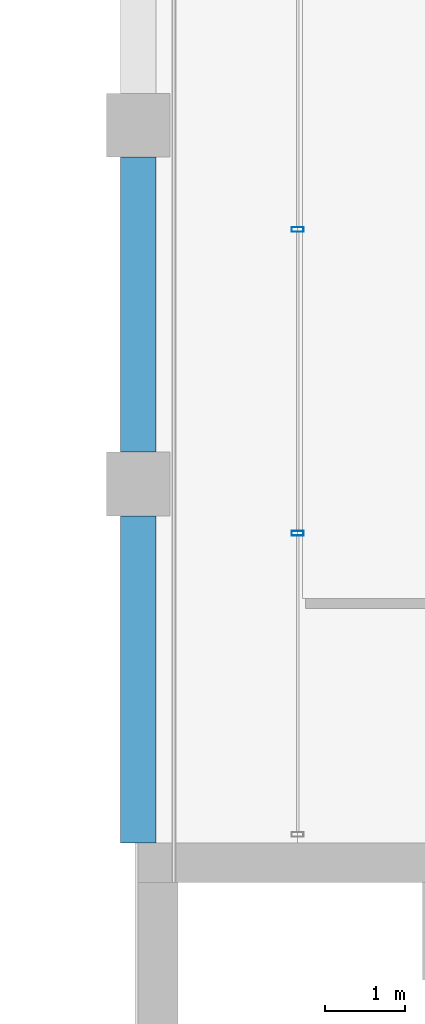
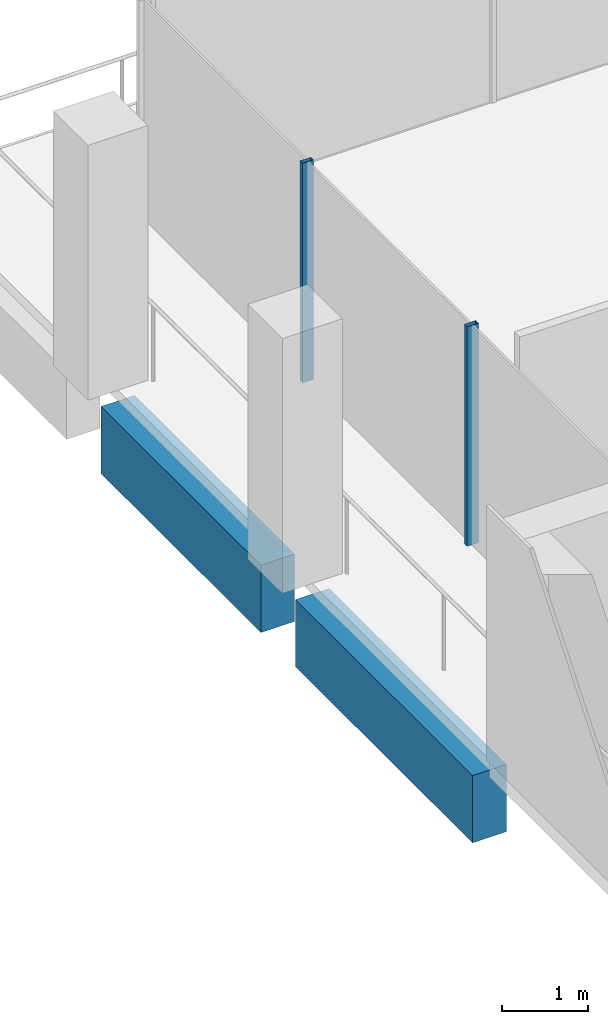
# One storey, part 20 of 30: 2 beams, 2 members, 1 element without a shape of its own.
"""IFC4 building model written with IfcOpenShell, lengths in metres."""

from ifc_helpers import new_model, si_unit, direction, frame, origin, origin_2d, place, context, subcontext, project, spatial, rectangle, hollow_rectangle, extrude, material, material_profile, profile_set, type_object, element, aggregate, save


model = new_model("IFC4")

# Units and contexts
model_context = context("Model", 3, precision=1e-05, world=origin(), true_north=direction((0.0, 1.0)))
body_context = subcontext(model_context, "Body", "Model", "MODEL_VIEW")
ifc_project = project(units=[si_unit("LENGTHUNIT", "METRE"), si_unit("AREAUNIT", "SQUARE_METRE"), si_unit("VOLUMEUNIT", "CUBIC_METRE"), si_unit("PLANEANGLEUNIT", "RADIAN"), si_unit("MASSUNIT", "GRAM", prefix="KILO")], contexts=[model_context])

# Site, building, storey
site_placement = place(None, origin())
site = spatial("IfcSite", under=ifc_project, at=site_placement, CompositionType="ELEMENT")
building_placement = place(site_placement, origin())
building = spatial("IfcBuilding", under=site, at=building_placement, Name="Altepetl Exchange Towers", CompositionType="ELEMENT")
storey_placement = place(building_placement, frame((0.0, 0.0, 231.60009765625)))
storey = spatial("IfcBuildingStorey", under=building, at=storey_placement, Name="L59", CompositionType="ELEMENT", Elevation=231.60009765625)

# Curtain wall, members
ifc_material_1 = material(Name="Aluminium 6063-T6 glazing", Category="aluminium")
curtain_wall_type = type_object("IfcCurtainWallType", Name="Loggia glazing system", PredefinedType="NOTDEFINED", material=ifc_material_1)
curtain_wall_placement = place(storey_placement, origin())
curtain_wall = element("IfcCurtainWall", 1, at=curtain_wall_placement, inside=storey, type_object=curtain_wall_type, Name="CW1 run", PredefinedType="NOTDEFINED")
ifc_material_2 = material(Name="Aluminium 6063-T6", Category="aluminium")
ifc_material_profile_1 = material_profile(ifc_material_2, hollow_rectangle(XDim=0.06005859375, YDim=0.14990234375, WallThickness=0.0029296875, at=origin_2d()), Name="Mullion 60x150 aluminium")
ifc_profile_set_1 = profile_set([ifc_material_profile_1], Name="Aluminium 6063-T6")
member_type = type_object("IfcMemberType", Name="Mullion 60x150 aluminium", PredefinedType="MULLION", material=ifc_profile_set_1)
member_1_placement = place(storey_placement, frame((42.5, 66.191650390625, 0.0), z_axis=(0.0, 0.0, 1.0), x_axis=(0.0, -1.0, 0.0)))
member_1 = element("IfcMember", 2, at=member_1_placement, type_object=member_type, Name="MU1 mullion", PredefinedType="MULLION", context=body_context, shape_type="SweptSolid", body=[
    extrude(hollow_rectangle(XDim=0.06005859375, YDim=0.14990234375, WallThickness=0.0029296875, at=origin_2d()), origin(), (0.0, 0.0, 1.0), 3.099853515625),
])
member_2_placement = place(storey_placement, frame((42.5, 62.38330078125, 0.0), z_axis=(0.0, 0.0, 1.0), x_axis=(0.0, -1.0, 0.0)))
member_2 = element("IfcMember", 3, at=member_2_placement, type_object=member_type, Name="MU1 mullion", PredefinedType="MULLION", context=body_context, shape_type="SweptSolid", body=[
    extrude(hollow_rectangle(XDim=0.06005859375, YDim=0.14990234375, WallThickness=0.0029296875, at=origin_2d()), origin(), (0.0, 0.0, 1.0), 3.099853515625),
])
aggregate(curtain_wall, [member_1, member_2])

# Beams
ifc_material_3 = material(Name="Concrete C50/60 precast with tezontle facing", Category="concrete")
ifc_material_profile_2 = material_profile(ifc_material_3, rectangle(XDim=0.449951171875, YDim=0.949951171875, at=origin_2d()), Name="450 x 950")
ifc_profile_set_2 = profile_set([ifc_material_profile_2], Name="Concrete C50/60 precast with tezontle facing")
beam_type = type_object("IfcBeamType", Name="Spandrel beam 450x950 tezontle", PredefinedType="SPANDREL", material=ifc_profile_set_2)
beam_1_placement = place(storey_placement, frame((40.5, 67.10009765625, -0.625), z_axis=(0.0, -1.0, 0.0), x_axis=(1.0, 0.0, 0.0)))
element("IfcBeam", 4, at=beam_1_placement, inside=storey, type_object=beam_type, Name="sp:A:L59:031", PredefinedType="SPANDREL", context=body_context, shape_type="SweptSolid", body=[
    extrude(rectangle(XDim=0.449951171875, YDim=0.949951171875, at=origin_2d()), origin(), (0.0, 0.0, 1.0), 3.7001953125),
])
beam_2_placement = place(storey_placement, frame((40.5, 62.60009765625, -0.625), z_axis=(0.0, -1.0, 0.0), x_axis=(1.0, 0.0, 0.0)))
element("IfcBeam", 5, at=beam_2_placement, inside=storey, type_object=beam_type, Name="sp:A:L59:032", PredefinedType="SPANDREL", context=body_context, shape_type="SweptSolid", body=[
    extrude(rectangle(XDim=0.449951171875, YDim=0.949951171875, at=origin_2d()), origin(), (0.0, 0.0, 1.0), 4.10009765625),
])

save(model, "model.ifc")
